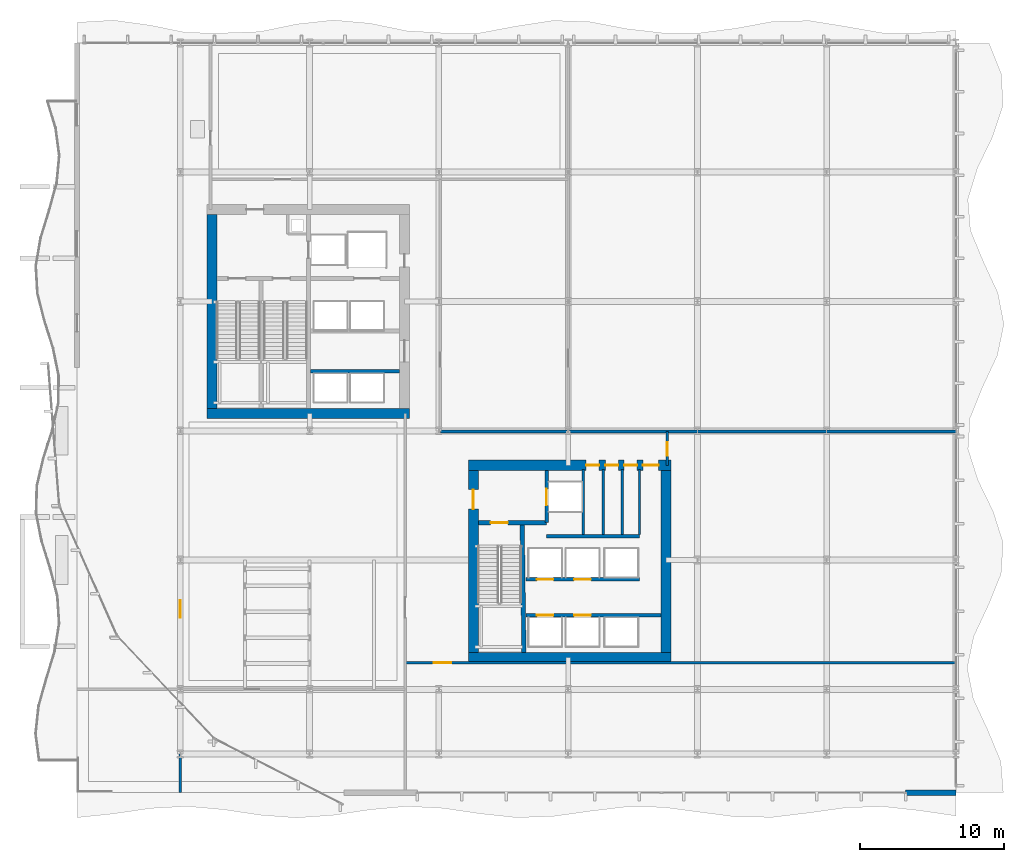
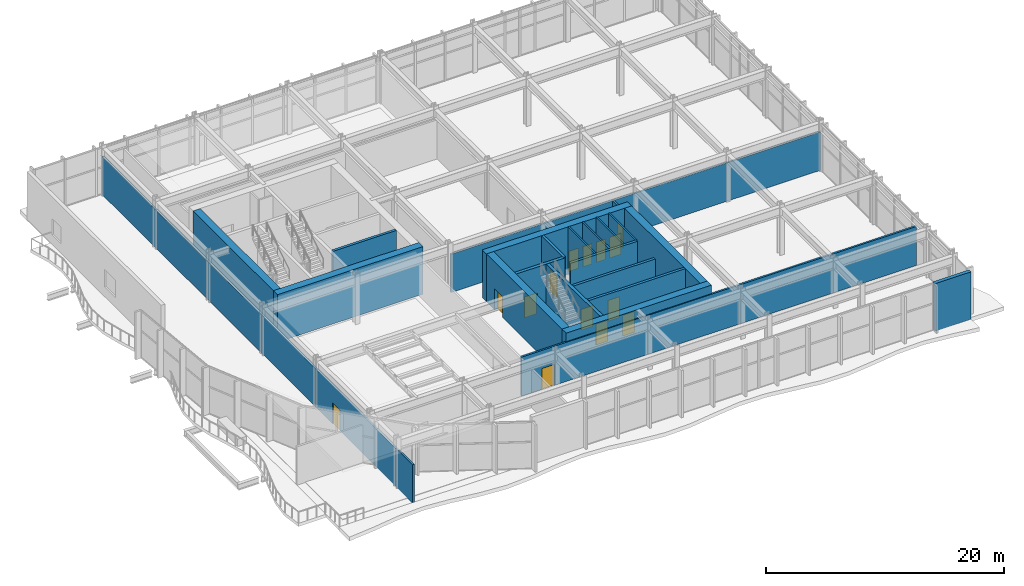
# One storey, part 23 of 33: 22 walls, 14 doors, 14 openings.
"""IFC4 building model written with IfcOpenShell, lengths in metres."""

from ifc_helpers import new_model, si_unit, direction, frame, frame_2d, origin, place, context, subcontext, project, spatial, rectangle, extrude, material, layer, layer_set, type_object, element, fill, save


model = new_model("IFC4")

# Units and contexts
model_context = context("Model", 3, precision=1e-05, world=origin(), true_north=direction((0.0, 1.0)))
body_context = subcontext(model_context, "Body", "Model", "MODEL_VIEW")
ifc_project = project(units=[si_unit("LENGTHUNIT", "METRE"), si_unit("AREAUNIT", "SQUARE_METRE"), si_unit("VOLUMEUNIT", "CUBIC_METRE"), si_unit("PLANEANGLEUNIT", "RADIAN"), si_unit("MASSUNIT", "GRAM", prefix="KILO")], contexts=[model_context])

# Site, building, storey
site_placement = place(None, origin())
site = spatial("IfcSite", under=ifc_project, at=site_placement, CompositionType="ELEMENT")
building_placement = place(site_placement, origin())
building = spatial("IfcBuilding", under=site, at=building_placement, Name="Solvaryn Broadcast Tower", CompositionType="ELEMENT")
storey_placement = place(building_placement, frame((0.0, 0.0, 5.800048828125)))
storey = spatial("IfcBuildingStorey", under=building, at=storey_placement, Name="L01", CompositionType="ELEMENT", Elevation=5.800048828125)

# Walls
ifc_material_1 = material(Name="Concrete f'c 70 MPa", Category="concrete")
ifc_layer_1 = layer(ifc_material_1, 0.699951171875)
ifc_layer_set_1 = layer_set([ifc_layer_1], Name="CW-SHEAR-700")
wall_type_1 = type_object("IfcWallType", Name="CW-SHEAR-700", PredefinedType="SHEAR", material=ifc_layer_set_1)
wall_1_placement = place(storey_placement, frame((10.85009765625, 28.199951171875, 0.0), z_axis=(0.0, 0.0, 1.0), x_axis=(1.0, 0.0, 0.0)))
element("IfcWall", 1, at=wall_1_placement, inside=storey, type_object=wall_type_1, Name="L01 West Core South Shear Wall", PredefinedType="SHEAR", context=body_context, shape_type="SweptSolid", body=[
    extrude(rectangle(XDim=14.099853515625, YDim=0.699951171875, at=frame_2d((7.0498046875, 0.0))), origin(), (0.0, 0.0, 1.0), 4.8798828125),
])
wall_2_placement = place(storey_placement, frame((11.199951171875, 42.050048828125, 0.0), z_axis=(0.0, 0.0, 1.0), x_axis=(0.0, -1.0, 0.0)))
element("IfcWall", 2, at=wall_2_placement, inside=storey, type_object=wall_type_1, Name="L01 West Core West Shear Wall", PredefinedType="SHEAR", context=body_context, shape_type="SweptSolid", body=[
    extrude(rectangle(XDim=13.5, YDim=0.699951171875, at=frame_2d((6.75, 0.0))), origin(), (0.0, 0.0, 1.0), 4.8798828125),
])
wall_3_placement = place(storey_placement, frame((29.050048828125, 11.199951171875, 0.0), z_axis=(0.0, 0.0, 1.0), x_axis=(1.0, 0.0, 0.0)))
element("IfcWall", 3, at=wall_3_placement, inside=storey, type_object=wall_type_1, Name="L01 East Core South Shear Wall", PredefinedType="SHEAR", context=body_context, shape_type="SweptSolid", body=[
    extrude(rectangle(XDim=14.099853515625, YDim=0.699951171875, at=frame_2d((7.0498046875, 0.0))), origin(), (0.0, 0.0, 1.0), 4.8798828125),
])

# Wall, openings, doors
wall_4_placement = place(storey_placement, frame((43.14990234375, 24.60009765625, 0.0), z_axis=(0.0, 0.0, 1.0), x_axis=(-1.0, 0.0, 0.0)))
wall_4 = element("IfcWall", 4, at=wall_4_placement, inside=storey, type_object=wall_type_1, Name="L01 East Core North Shear Wall", PredefinedType="SHEAR", context=body_context, shape_type="SweptSolid", body=[
    extrude(rectangle(XDim=14.099853515625, YDim=0.699951171875, at=frame_2d((7.0498046875, 0.0))), origin(), (0.0, 0.0, 1.0), 4.8798828125),
])
opening_1_placement = place(wall_4_placement, frame((0.85009765625, 0.0, 0.0)))
opening_1 = element("IfcOpeningElement", 5, at=opening_1_placement, cuts=wall_4, Name="Opening FD90C", PredefinedType="OPENING", context=body_context, shape_type="SweptSolid", body=[
    extrude(rectangle(XDim=1.10009765625, YDim=2.14990234375, at=frame_2d((0.550048828125, 1.074951171875))), frame((0.0, 0.360107421875, 0.0), z_axis=(0.0, -1.0, 0.0), x_axis=(1.0, 0.0, 0.0)), (0.0, 0.0, 1.0), 0.719970703125),
])
opening_2_placement = place(wall_4_placement, frame((2.35009765625, 0.0, 0.0)))
opening_2 = element("IfcOpeningElement", 6, at=opening_2_placement, cuts=wall_4, Name="Opening FD60C", PredefinedType="OPENING", context=body_context, shape_type="SweptSolid", body=[
    extrude(rectangle(XDim=0.89990234375, YDim=2.10009765625, at=frame_2d((0.449951171875, 1.050048828125))), frame((0.0, 0.360107421875, 0.0), z_axis=(0.0, -1.0, 0.0), x_axis=(1.0, 0.0, 0.0)), (0.0, 0.0, 1.0), 0.719970703125),
])
opening_3_placement = place(wall_4_placement, frame((3.64990234375, 0.0, 0.0)))
opening_3 = element("IfcOpeningElement", 7, at=opening_3_placement, cuts=wall_4, Name="Opening FD60C", PredefinedType="OPENING", context=body_context, shape_type="SweptSolid", body=[
    extrude(rectangle(XDim=0.89990234375, YDim=2.10009765625, at=frame_2d((0.449951171875, 1.050048828125))), frame((0.0, 0.360107421875, 0.0), z_axis=(0.0, -1.0, 0.0), x_axis=(1.0, 0.0, 0.0)), (0.0, 0.0, 1.0), 0.719970703125),
])
opening_4_placement = place(wall_4_placement, frame((5.0, 0.0, 0.0)))
opening_4 = element("IfcOpeningElement", 8, at=opening_4_placement, cuts=wall_4, Name="Opening FD60C", PredefinedType="OPENING", context=body_context, shape_type="SweptSolid", body=[
    extrude(rectangle(XDim=0.89990234375, YDim=2.10009765625, at=frame_2d((0.449951171875, 1.050048828125))), frame((0.0, 0.360107421875, 0.0), z_axis=(0.0, -1.0, 0.0), x_axis=(1.0, 0.0, 0.0)), (0.0, 0.0, 1.0), 0.719970703125),
])
ifc_material_2 = material(Name="Flush Acoustic Steel and Timber Door Assembly", Category="steel")
door_type_1 = type_object("IfcDoorType", Name="FD60-SERV-900X2100", OperationType="NOTDEFINED", PredefinedType="DOOR", material=ifc_material_2)
door_1_placement = place(opening_2_placement, origin())
door_1 = element("IfcDoor", 9, at=door_1_placement, inside=storey, type_object=door_type_1, Name="L01 Core Wellness Room Door", OperationType="SINGLE_SWING_RIGHT", OverallHeight=2.10009765625, OverallWidth=0.89990234375, PredefinedType="DOOR", context=body_context, shape_type="SweptSolid", body=[
    extrude(rectangle(XDim=0.89990234375, YDim=2.10009765625, at=frame_2d((0.449951171875, 1.050048828125))), frame((0.0, 0.02490234375, 0.0), z_axis=(0.0, -1.0, 0.0), x_axis=(1.0, 0.0, 0.0)), (0.0, 0.0, 1.0), 0.050048828125),
])
fill(opening_2, door_1)
door_2_placement = place(opening_3_placement, origin())
door_2 = element("IfcDoor", 10, at=door_2_placement, inside=storey, type_object=door_type_1, Name="L01 Staff Restroom Door", OperationType="SINGLE_SWING_LEFT", OverallHeight=2.10009765625, OverallWidth=0.89990234375, PredefinedType="DOOR", context=body_context, shape_type="SweptSolid", body=[
    extrude(rectangle(XDim=0.89990234375, YDim=2.10009765625, at=frame_2d((0.449951171875, 1.050048828125))), frame((0.0, 0.02490234375, 0.0), z_axis=(0.0, -1.0, 0.0), x_axis=(1.0, 0.0, 0.0)), (0.0, 0.0, 1.0), 0.050048828125),
])
fill(opening_3, door_2)
door_3_placement = place(opening_4_placement, origin())
door_3 = element("IfcDoor", 11, at=door_3_placement, inside=storey, type_object=door_type_1, Name="L01 Accessible WC Door", OperationType="SINGLE_SWING_RIGHT", OverallHeight=2.10009765625, OverallWidth=0.89990234375, PredefinedType="DOOR", context=body_context, shape_type="SweptSolid", body=[
    extrude(rectangle(XDim=0.89990234375, YDim=2.10009765625, at=frame_2d((0.449951171875, 1.050048828125))), frame((0.0, 0.02490234375, 0.0), z_axis=(0.0, -1.0, 0.0), x_axis=(1.0, 0.0, 0.0)), (0.0, 0.0, 1.0), 0.050048828125),
])
fill(opening_4, door_3)
ifc_material_3 = material(Name="Flush Acoustic Steel and Timber Door Assembly", Category="steel")
door_type_2 = type_object("IfcDoorType", Name="FD90-PLANT-1100X2150", OperationType="NOTDEFINED", PredefinedType="DOOR", material=ifc_material_3)
door_4_placement = place(opening_1_placement, origin())
door_4 = element("IfcDoor", 12, at=door_4_placement, inside=storey, type_object=door_type_2, Name="L01 East Core Lobby Corridor Door", OperationType="SINGLE_SWING_LEFT", OverallHeight=2.14990234375, OverallWidth=1.10009765625, PredefinedType="DOOR", context=body_context, shape_type="SweptSolid", body=[
    extrude(rectangle(XDim=1.10009765625, YDim=2.14990234375, at=frame_2d((0.550048828125, 1.074951171875))), frame((0.0, 0.02490234375, 0.0), z_axis=(0.0, -1.0, 0.0), x_axis=(1.0, 0.0, 0.0)), (0.0, 0.0, 1.0), 0.050048828125),
])
fill(opening_1, door_4)

# Wall, opening, door
wall_5_placement = place(storey_placement, frame((29.39990234375, 24.25, 0.0), z_axis=(0.0, 0.0, 1.0), x_axis=(0.0, -1.0, 0.0)))
wall_5 = element("IfcWall", 13, at=wall_5_placement, inside=storey, type_object=wall_type_1, Name="L01 East Core West Shear Wall", PredefinedType="SHEAR", context=body_context, shape_type="SweptSolid", body=[
    extrude(rectangle(XDim=12.699951171875, YDim=0.699951171875, at=frame_2d((6.35009765625, 0.0))), origin(), (0.0, 0.0, 1.0), 4.8798828125),
])
opening_5_placement = place(wall_5_placement, frame((1.35009765625, 0.0, 0.0)))
opening_5 = element("IfcOpeningElement", 14, at=opening_5_placement, cuts=wall_5, Name="Opening FD90B", PredefinedType="OPENING", context=body_context, shape_type="SweptSolid", body=[
    extrude(rectangle(XDim=1.35009765625, YDim=2.14990234375, at=frame_2d((0.675048828125, 1.074951171875))), frame((0.0, 0.360107421875, 0.0), z_axis=(0.0, -1.0, 0.0), x_axis=(1.0, 0.0, 0.0)), (0.0, 0.0, 1.0), 0.719970703125),
])
ifc_material_4 = material(Name="Flush Acoustic Steel and Timber Door Assembly", Category="steel")
door_type_3 = type_object("IfcDoorType", Name="FD90-LOBBY-1350X2150", OperationType="NOTDEFINED", PredefinedType="DOOR", material=ifc_material_4)
door_5_placement = place(opening_5_placement, origin())
door_5 = element("IfcDoor", 15, at=door_5_placement, inside=storey, type_object=door_type_3, Name="L01 East FSAE Lobby Door", OperationType="SINGLE_SWING_RIGHT", OverallHeight=2.14990234375, OverallWidth=1.35009765625, PredefinedType="DOOR", context=body_context, shape_type="SweptSolid", body=[
    extrude(rectangle(XDim=1.35009765625, YDim=2.14990234375, at=frame_2d((0.675048828125, 1.074951171875))), frame((0.0, 0.02490234375, 0.0), z_axis=(0.0, -1.0, 0.0), x_axis=(1.0, 0.0, 0.0)), (0.0, 0.0, 1.0), 0.050048828125),
])
fill(opening_5, door_5)

# Walls
wall_6_placement = place(storey_placement, frame((42.800048828125, 11.550048828125, 0.0), z_axis=(0.0, 0.0, 1.0), x_axis=(0.0, 1.0, 0.0)))
element("IfcWall", 16, at=wall_6_placement, inside=storey, type_object=wall_type_1, Name="L01 East Core East Shear Wall", PredefinedType="SHEAR", context=body_context, shape_type="SweptSolid", body=[
    extrude(rectangle(XDim=12.699951171875, YDim=0.699951171875, at=frame_2d((6.35009765625, 0.0))), origin(), (0.0, 0.0, 1.0), 4.8798828125),
])
ifc_material_5 = material(Name="Concrete f'c 50 MPa", Category="concrete")
ifc_layer_2 = layer(ifc_material_5, 0.35009765625)
ifc_layer_set_2 = layer_set([ifc_layer_2], Name="EW-STUDIO-350")
wall_type_2 = type_object("IfcWallType", Name="EW-STUDIO-350", PredefinedType="SOLIDWALL", material=ifc_layer_set_2)
wall_7_placement = place(storey_placement, frame((63.0, 1.800048828125, 0.0), z_axis=(0.0, 0.0, 1.0), x_axis=(-1.0, 0.0, 0.0)))
element("IfcWall", 17, at=wall_7_placement, inside=storey, type_object=wall_type_2, Name="L01 Podium SE Corner Pier Wall", PredefinedType="SOLIDWALL", context=body_context, shape_type="SweptSolid", body=[
    extrude(rectangle(XDim=3.5, YDim=0.35009765625, at=frame_2d((1.75, 0.0))), origin(), (0.0, 0.0, 1.0), 4.8798828125),
])
ifc_material_6 = material(Name="Metal-Stud Service Core Partition")
ifc_layer_3 = layer(ifc_material_6, 0.14990234375)
ifc_layer_set_3 = layer_set([ifc_layer_3], Name="IW-PART-150")
wall_type_3 = type_object("IfcWallType", Name="IW-PART-150", PredefinedType="PARTITIONING", material=ifc_layer_set_3)
for number, where, z_axis, x_axis, name in (
    (18, (37.050048828125, 19.780029296875, 0.0), (0.0, 0.0, 1.0), (0.0, 1.0, 0.0), "L01 Interior Partition IW-L01-CE-FL2E"),
    (19, (38.43994140625, 19.780029296875, 0.0), (0.0, 0.0, 1.0), (0.0, 1.0, 0.0), "L01 Interior Partition IW-L01-CE-V1"),
    (20, (39.77001953125, 19.780029296875, 0.0), (0.0, 0.0, 1.0), (0.0, 1.0, 0.0), "L01 Interior Partition IW-L01-CE-V2"),
    (21, (40.97998046875, 19.780029296875, 0.0), (0.0, 0.0, 1.0), (0.0, 1.0, 0.0), "L01 Interior Partition IW-L01-CE-V3"),
):
    element("IfcWall", number, at=place(storey_placement, frame(where, z_axis=z_axis, x_axis=x_axis)), inside=storey, type_object=wall_type_3, Name=name, PredefinedType="PARTITIONING", context=body_context, shape_type="SweptSolid", body=[
        extrude(rectangle(XDim=4.52001953125, YDim=0.14990234375, at=frame_2d((2.260009765625, 0.0))), origin(), (0.0, 0.0, 1.0), 4.8798828125),
    ])

# Wall, opening, door
ifc_material_7 = material(Name="Acoustic Metal-Stud Gypsum Partition")
ifc_layer_4 = layer(ifc_material_7, 0.179931640625)
ifc_layer_set_4 = layer_set([ifc_layer_4], Name="IW-PART-180")
wall_type_4 = type_object("IfcWallType", Name="IW-PART-180", PredefinedType="PARTITIONING", material=ifc_layer_set_4)
wall_8_placement = place(storey_placement, frame((24.64990234375, 10.85009765625, 0.0), z_axis=(0.0, 0.0, 1.0), x_axis=(1.0, 0.0, 0.0)))
wall_8 = element("IfcWall", 22, at=wall_8_placement, inside=storey, type_object=wall_type_4, Name="L01 Interior Partition IW-L01-PW2", PredefinedType="PARTITIONING", context=body_context, shape_type="SweptSolid", body=[
    extrude(rectangle(XDim=38.35009765625, YDim=0.179931640625, at=frame_2d((19.175048828125, 0.0))), origin(), (0.0, 0.0, 1.0), 4.0048828125),
])
opening_6_placement = place(wall_8_placement, frame((2.0, 0.0, 0.0)))
opening_6 = element("IfcOpeningElement", 23, at=opening_6_placement, cuts=wall_8, Name="Opening ID04", PredefinedType="OPENING", context=body_context, shape_type="SweptSolid", body=[
    extrude(rectangle(XDim=1.199951171875, YDim=2.14990234375, at=frame_2d((0.60009765625, 1.074951171875))), frame((0.0, 0.099853515625, 0.0), z_axis=(0.0, -1.0, 0.0), x_axis=(1.0, 0.0, 0.0)), (0.0, 0.0, 1.0), 0.199951171875),
])
ifc_material_8 = material(Name="Flush Acoustic Steel and Timber Door Assembly", Category="steel")
door_type_4 = type_object("IfcDoorType", Name="ID-04-1200X2150", OperationType="NOTDEFINED", PredefinedType="DOOR", material=ifc_material_8)
door_6_placement = place(opening_6_placement, origin())
door_6 = element("IfcDoor", 24, at=door_6_placement, inside=storey, type_object=door_type_4, Name="L01 Door DR-L01-PD2", OperationType="SINGLE_SWING_RIGHT", OverallHeight=2.14990234375, OverallWidth=1.199951171875, PredefinedType="DOOR", context=body_context, shape_type="SweptSolid", body=[
    extrude(rectangle(XDim=1.199951171875, YDim=2.14990234375, at=frame_2d((0.60009765625, 1.074951171875))), frame((0.0, 0.02490234375, 0.0), z_axis=(0.0, -1.0, 0.0), x_axis=(1.0, 0.0, 0.0)), (0.0, 0.0, 1.0), 0.050048828125),
])
fill(opening_6, door_6)

wall_9_placement = place(storey_placement, frame((42.89990234375, 24.60009765625, 0.0), z_axis=(0.0, 0.0, 1.0), x_axis=(0.0, 1.0, 0.0)))
wall_9 = element("IfcWall", 25, at=wall_9_placement, inside=storey, type_object=wall_type_4, Name="L01 Interior Partition IW-L01-PW4", PredefinedType="PARTITIONING", context=body_context, shape_type="SweptSolid", body=[
    extrude(rectangle(XDim=2.349853515625, YDim=0.179931640625, at=frame_2d((1.1748046875, 0.0))), origin(), (0.0, 0.0, 1.0), 3.932861328125),
])
opening_7_placement = place(wall_9_placement, frame((0.64990234375, 0.0, 0.0)))
opening_7 = element("IfcOpeningElement", 26, at=opening_7_placement, cuts=wall_9, Name="Opening ID01", PredefinedType="OPENING", context=body_context, shape_type="SweptSolid", body=[
    extrude(rectangle(XDim=0.949951171875, YDim=2.10009765625, at=frame_2d((0.47509765625, 1.050048828125))), frame((0.0, 0.099853515625, 0.0), z_axis=(0.0, -1.0, 0.0), x_axis=(1.0, 0.0, 0.0)), (0.0, 0.0, 1.0), 0.199951171875),
])
ifc_material_9 = material(Name="Flush Acoustic Steel and Timber Door Assembly", Category="steel")
door_type_5 = type_object("IfcDoorType", Name="ID-01-950X2100", OperationType="NOTDEFINED", PredefinedType="DOOR", material=ifc_material_9)
door_7_placement = place(opening_7_placement, origin())
door_7 = element("IfcDoor", 27, at=door_7_placement, inside=storey, type_object=door_type_5, Name="L01 Door DR-L01-PD3", OperationType="SINGLE_SWING_LEFT", OverallHeight=2.10009765625, OverallWidth=0.949951171875, PredefinedType="DOOR", context=body_context, shape_type="SweptSolid", body=[
    extrude(rectangle(XDim=0.949951171875, YDim=2.10009765625, at=frame_2d((0.47509765625, 1.050048828125))), frame((0.0, 0.02490234375, 0.0), z_axis=(0.0, -1.0, 0.0), x_axis=(1.0, 0.0, 0.0)), (0.0, 0.0, 1.0), 0.050048828125),
])
fill(opening_7, door_7)

# Wall
wall_10_placement = place(storey_placement, frame((27.10009765625, 26.949951171875, 0.0), z_axis=(0.0, 0.0, 1.0), x_axis=(1.0, 0.0, 0.0)))
element("IfcWall", 28, at=wall_10_placement, inside=storey, type_object=wall_type_4, Name="L01 Interior Partition IW-L01-PW5", PredefinedType="PARTITIONING", context=body_context, shape_type="SweptSolid", body=[
    extrude(rectangle(XDim=35.89990234375, YDim=0.179931640625, at=frame_2d((17.949951171875, 0.0))), origin(), (0.0, 0.0, 1.0), 3.932861328125),
])

# Wall, opening, door
wall_11_placement = place(storey_placement, frame((9.0, 1.800048828125, 0.0), z_axis=(0.0, 0.0, 1.0), x_axis=(0.0, 1.0, 0.0)))
wall_11 = element("IfcWall", 29, at=wall_11_placement, inside=storey, type_object=wall_type_4, Name="L01 Interior Partition IW-L01-PWW", PredefinedType="PARTITIONING", context=body_context, shape_type="SweptSolid", body=[
    extrude(rectangle(XDim=52.199951171875, YDim=0.179931640625, at=frame_2d((26.10009765625, 0.0))), origin(), (0.0, 0.0, 1.0), 3.911865234375),
])
opening_8_placement = place(wall_11_placement, frame((12.199951171875, 0.0, 0.0)))
opening_8 = element("IfcOpeningElement", 30, at=opening_8_placement, cuts=wall_11, Name="Opening ID04", PredefinedType="OPENING", context=body_context, shape_type="SweptSolid", body=[
    extrude(rectangle(XDim=1.199951171875, YDim=2.14990234375, at=frame_2d((0.60009765625, 1.074951171875))), frame((0.0, 0.099853515625, 0.0), z_axis=(0.0, -1.0, 0.0), x_axis=(1.0, 0.0, 0.0)), (0.0, 0.0, 1.0), 0.199951171875),
])
door_8_placement = place(opening_8_placement, origin())
door_8 = element("IfcDoor", 31, at=door_8_placement, inside=storey, type_object=door_type_4, Name="L01 Door DR-L01-PDW", OperationType="SINGLE_SWING_LEFT", OverallHeight=2.14990234375, OverallWidth=1.199951171875, PredefinedType="DOOR", context=body_context, shape_type="SweptSolid", body=[
    extrude(rectangle(XDim=1.199951171875, YDim=2.14990234375, at=frame_2d((0.60009765625, 1.074951171875))), frame((0.0, 0.02490234375, 0.0), z_axis=(0.0, -1.0, 0.0), x_axis=(1.0, 0.0, 0.0)), (0.0, 0.0, 1.0), 0.050048828125),
])
fill(opening_8, door_8)

# Wall
ifc_material_10 = material(Name="Concrete f'c 60 MPa", Category="concrete")
ifc_layer_5 = layer(ifc_material_10, 0.25)
ifc_layer_set_5 = layer_set([ifc_layer_5], Name="SW-SHAFT-250")
wall_type_5 = type_object("IfcWallType", Name="SW-SHAFT-250", PredefinedType="PARTITIONING", material=ifc_layer_set_5)
wall_12_placement = place(storey_placement, frame((18.070068359375, 31.14990234375, 0.0), z_axis=(0.0, 0.0, 1.0), x_axis=(1.0, 0.0, 0.0)))
element("IfcWall", 32, at=wall_12_placement, inside=storey, type_object=wall_type_5, Name="L01 High-Rise Lift Bank South Wall", PredefinedType="PARTITIONING", context=body_context, shape_type="SweptSolid", body=[
    extrude(rectangle(XDim=6.179931640625, YDim=0.25, at=frame_2d((3.08984375, 0.0))), origin(), (0.0, 0.0, 1.0), 4.8798828125),
])

# Wall, opening, door
wall_13_placement = place(storey_placement, frame((34.5, 20.60009765625, 0.0), z_axis=(0.0, 0.0, 1.0), x_axis=(0.0, 1.0, 0.0)))
wall_13 = element("IfcWall", 33, at=wall_13_placement, inside=storey, type_object=wall_type_5, Name="L01 East FSAE Lobby East Wall", PredefinedType="PARTITIONING", context=body_context, shape_type="SweptSolid", body=[
    extrude(rectangle(XDim=3.64990234375, YDim=0.25, at=frame_2d((1.824951171875, 0.0))), origin(), (0.0, 0.0, 1.0), 4.8798828125),
])
opening_9_placement = place(wall_13_placement, frame((1.199951171875, 0.0, 0.0)))
opening_9 = element("IfcOpeningElement", 34, at=opening_9_placement, cuts=wall_13, Name="Opening LD01", PredefinedType="OPENING", context=body_context, shape_type="SweptSolid", body=[
    extrude(rectangle(XDim=1.14990234375, YDim=2.14990234375, at=frame_2d((0.574951171875, 1.074951171875))), frame((0.0, 0.135009765625, 0.0), z_axis=(0.0, -1.0, 0.0), x_axis=(1.0, 0.0, 0.0)), (0.0, 0.0, 1.0), 0.27001953125),
])
ifc_material_11 = material(Name="Flush Acoustic Steel and Timber Door Assembly", Category="steel")
door_type_6 = type_object("IfcDoorType", Name="LD-LIFT-1150X2150", OperationType="NOTDEFINED", PredefinedType="DOOR", material=ifc_material_11)
door_9_placement = place(opening_9_placement, origin())
door_9 = element("IfcDoor", 35, at=door_9_placement, inside=storey, type_object=door_type_6, Name="L01 FL2 Lift Landing Door", OperationType="DOUBLE_DOOR_SLIDING", OverallHeight=2.14990234375, OverallWidth=1.14990234375, PredefinedType="DOOR", context=body_context, shape_type="SweptSolid", body=[
    extrude(rectangle(XDim=1.14990234375, YDim=2.14990234375, at=frame_2d((0.574951171875, 1.074951171875))), frame((0.0, 0.02490234375, 0.0), z_axis=(0.0, -1.0, 0.0), x_axis=(1.0, 0.0, 0.0)), (0.0, 0.0, 1.0), 0.050048828125),
])
fill(opening_9, door_9)

# Wall
wall_14_placement = place(storey_placement, frame((34.5, 19.64990234375, 0.0), z_axis=(0.0, 0.0, 1.0), x_axis=(1.0, 0.0, 0.0)))
element("IfcWall", 36, at=wall_14_placement, inside=storey, type_object=wall_type_5, Name="L01 East Core Restroom South Wall", PredefinedType="PARTITIONING", context=body_context, shape_type="SweptSolid", body=[
    extrude(rectangle(XDim=6.47998046875, YDim=0.25, at=frame_2d((3.239990234375, 0.0))), origin(), (0.0, 0.0, 1.0), 4.8798828125),
])

# Wall, openings, doors
wall_15_placement = place(storey_placement, frame((33.070068359375, 14.14990234375, 0.0), z_axis=(0.0, 0.0, 1.0), x_axis=(1.0, 0.0, 0.0)))
wall_15 = element("IfcWall", 37, at=wall_15_placement, inside=storey, type_object=wall_type_5, Name="L01 East Lift Bank South Wall", PredefinedType="PARTITIONING", context=body_context, shape_type="SweptSolid", body=[
    extrude(rectangle(XDim=9.3798828125, YDim=0.25, at=frame_2d((4.68994140625, 0.0))), origin(), (0.0, 0.0, 1.0), 4.8798828125),
])
opening_10_placement = place(wall_15_placement, frame((0.7548828125, 0.0, 0.0)))
opening_10 = element("IfcOpeningElement", 38, at=opening_10_placement, cuts=wall_15, Name="Opening LD01", PredefinedType="OPENING", context=body_context, shape_type="SweptSolid", body=[
    extrude(rectangle(XDim=1.14990234375, YDim=2.14990234375, at=frame_2d((0.574951171875, 1.074951171875))), frame((0.0, 0.135009765625, 0.0), z_axis=(0.0, -1.0, 0.0), x_axis=(1.0, 0.0, 0.0)), (0.0, 0.0, 1.0), 0.27001953125),
])
opening_11_placement = place(wall_15_placement, frame((3.35498046875, 0.0, 0.0)))
opening_11 = element("IfcOpeningElement", 39, at=opening_11_placement, cuts=wall_15, Name="Opening LD01", PredefinedType="OPENING", context=body_context, shape_type="SweptSolid", body=[
    extrude(rectangle(XDim=1.14990234375, YDim=2.14990234375, at=frame_2d((0.574951171875, 1.074951171875))), frame((0.0, 0.135009765625, 0.0), z_axis=(0.0, -1.0, 0.0), x_axis=(1.0, 0.0, 0.0)), (0.0, 0.0, 1.0), 0.27001953125),
])
door_10_placement = place(opening_10_placement, origin())
door_10 = element("IfcDoor", 40, at=door_10_placement, inside=storey, type_object=door_type_6, Name="L01 PL1 Lift Landing Door", OperationType="DOUBLE_DOOR_SLIDING", OverallHeight=2.14990234375, OverallWidth=1.14990234375, PredefinedType="DOOR", context=body_context, shape_type="SweptSolid", body=[
    extrude(rectangle(XDim=1.14990234375, YDim=2.14990234375, at=frame_2d((0.574951171875, 1.074951171875))), frame((0.0, 0.02490234375, 0.0), z_axis=(0.0, -1.0, 0.0), x_axis=(1.0, 0.0, 0.0)), (0.0, 0.0, 1.0), 0.050048828125),
])
fill(opening_10, door_10)
door_11_placement = place(opening_11_placement, origin())
door_11 = element("IfcDoor", 41, at=door_11_placement, inside=storey, type_object=door_type_6, Name="L01 PL2 Lift Landing Door", OperationType="DOUBLE_DOOR_SLIDING", OverallHeight=2.14990234375, OverallWidth=1.14990234375, PredefinedType="DOOR", context=body_context, shape_type="SweptSolid", body=[
    extrude(rectangle(XDim=1.14990234375, YDim=2.14990234375, at=frame_2d((0.574951171875, 1.074951171875))), frame((0.0, 0.02490234375, 0.0), z_axis=(0.0, -1.0, 0.0), x_axis=(1.0, 0.0, 0.0)), (0.0, 0.0, 1.0), 0.050048828125),
])
fill(opening_11, door_11)

wall_16_placement = place(storey_placement, frame((40.97998046875, 16.64990234375, 0.0), z_axis=(0.0, 0.0, 1.0), x_axis=(-1.0, 0.0, 0.0)))
wall_16 = element("IfcWall", 42, at=wall_16_placement, inside=storey, type_object=wall_type_5, Name="L01 East Lift Bank North Wall", PredefinedType="PARTITIONING", context=body_context, shape_type="SweptSolid", body=[
    extrude(rectangle(XDim=7.909912109375, YDim=0.25, at=frame_2d((3.955078125, 0.0))), origin(), (0.0, 0.0, 1.0), 4.8798828125),
])
opening_12_placement = place(wall_16_placement, frame((6.0048828125, 0.0, 0.0)))
opening_12 = element("IfcOpeningElement", 43, at=opening_12_placement, cuts=wall_16, Name="Opening LD01", PredefinedType="OPENING", context=body_context, shape_type="SweptSolid", body=[
    extrude(rectangle(XDim=1.14990234375, YDim=2.14990234375, at=frame_2d((0.574951171875, 1.074951171875))), frame((0.0, 0.135009765625, 0.0), z_axis=(0.0, -1.0, 0.0), x_axis=(1.0, 0.0, 0.0)), (0.0, 0.0, 1.0), 0.27001953125),
])
opening_13_placement = place(wall_16_placement, frame((3.405029296875, 0.0, 0.0)))
opening_13 = element("IfcOpeningElement", 44, at=opening_13_placement, cuts=wall_16, Name="Opening LD01", PredefinedType="OPENING", context=body_context, shape_type="SweptSolid", body=[
    extrude(rectangle(XDim=1.14990234375, YDim=2.14990234375, at=frame_2d((0.574951171875, 1.074951171875))), frame((0.0, 0.135009765625, 0.0), z_axis=(0.0, -1.0, 0.0), x_axis=(1.0, 0.0, 0.0)), (0.0, 0.0, 1.0), 0.27001953125),
])
door_12_placement = place(opening_12_placement, origin())
door_12 = element("IfcDoor", 45, at=door_12_placement, inside=storey, type_object=door_type_6, Name="L01 PL3 Lift Landing Door", OperationType="DOUBLE_DOOR_SLIDING", OverallHeight=2.14990234375, OverallWidth=1.14990234375, PredefinedType="DOOR", context=body_context, shape_type="SweptSolid", body=[
    extrude(rectangle(XDim=1.14990234375, YDim=2.14990234375, at=frame_2d((0.574951171875, 1.074951171875))), frame((0.0, 0.02490234375, 0.0), z_axis=(0.0, -1.0, 0.0), x_axis=(1.0, 0.0, 0.0)), (0.0, 0.0, 1.0), 0.050048828125),
])
fill(opening_12, door_12)
door_13_placement = place(opening_13_placement, origin())
door_13 = element("IfcDoor", 46, at=door_13_placement, inside=storey, type_object=door_type_6, Name="L01 PL4 Lift Landing Door", OperationType="DOUBLE_DOOR_SLIDING", OverallHeight=2.14990234375, OverallWidth=1.14990234375, PredefinedType="DOOR", context=body_context, shape_type="SweptSolid", body=[
    extrude(rectangle(XDim=1.14990234375, YDim=2.14990234375, at=frame_2d((0.574951171875, 1.074951171875))), frame((0.0, 0.02490234375, 0.0), z_axis=(0.0, -1.0, 0.0), x_axis=(1.0, 0.0, 0.0)), (0.0, 0.0, 1.0), 0.050048828125),
])
fill(opening_13, door_13)

# Wall
ifc_material_12 = material(Name="Concrete f'c 70 MPa", Category="concrete")
ifc_layer_6 = layer(ifc_material_12, 0.300048828125)
ifc_layer_set_6 = layer_set([ifc_layer_6], Name="SW-SHAFT-300")
wall_type_6 = type_object("IfcWallType", Name="SW-SHAFT-300", PredefinedType="SHEAR", material=ifc_layer_set_6)
wall_17_placement = place(storey_placement, frame((32.919921875, 11.550048828125, 0.0), z_axis=(0.0, 0.0, 1.0), x_axis=(-0.01331804616, 0.99991131089, 0.0)))
element("IfcWall", 47, at=wall_17_placement, inside=storey, type_object=wall_type_6, Name="L01 Stair 3 East Shear Wall", PredefinedType="SHEAR", context=body_context, shape_type="SweptSolid", body=[
    extrude(rectangle(XDim=9.000732421875, YDim=0.300048828125, at=frame_2d((4.50048828125, 0.0))), origin(), (0.0, 0.0, 1.0), 4.8798828125),
])

# Wall, opening, door
wall_18_placement = place(storey_placement, frame((34.5, 20.60009765625, 0.0), z_axis=(0.0, 0.0, 1.0), x_axis=(-1.0, 0.0, 0.0)))
wall_18 = element("IfcWall", 48, at=wall_18_placement, inside=storey, type_object=wall_type_6, Name="L01 East FSAE Lobby South Wall", PredefinedType="SHEAR", context=body_context, shape_type="SweptSolid", body=[
    extrude(rectangle(XDim=4.75, YDim=0.300048828125, at=frame_2d((2.375, 0.0))), origin(), (0.0, 0.0, 1.0), 4.8798828125),
])
opening_14_placement = place(wall_18_placement, frame((2.699951171875, 0.0, 0.0)))
opening_14 = element("IfcOpeningElement", 49, at=opening_14_placement, cuts=wall_18, Name="Opening FD90A", PredefinedType="OPENING", context=body_context, shape_type="SweptSolid", body=[
    extrude(rectangle(XDim=1.199951171875, YDim=2.14990234375, at=frame_2d((0.60009765625, 1.074951171875))), frame((0.0, 0.159912109375, 0.0), z_axis=(0.0, -1.0, 0.0), x_axis=(1.0, 0.0, 0.0)), (0.0, 0.0, 1.0), 0.320068359375),
])
ifc_material_13 = material(Name="Flush Acoustic Steel and Timber Door Assembly", Category="steel")
door_type_7 = type_object("IfcDoorType", Name="FD90-STAIR-1200X2150", OperationType="NOTDEFINED", PredefinedType="DOOR", material=ifc_material_13)
door_14_placement = place(opening_14_placement, origin())
door_14 = element("IfcDoor", 50, at=door_14_placement, inside=storey, type_object=door_type_7, Name="L01 Stair 3 Fire Door", OperationType="SINGLE_SWING_LEFT", OverallHeight=2.14990234375, OverallWidth=1.199951171875, PredefinedType="DOOR", context=body_context, shape_type="SweptSolid", body=[
    extrude(rectangle(XDim=1.199951171875, YDim=2.14990234375, at=frame_2d((0.60009765625, 1.074951171875))), frame((0.0, 0.02490234375, 0.0), z_axis=(0.0, -1.0, 0.0), x_axis=(1.0, 0.0, 0.0)), (0.0, 0.0, 1.0), 0.050048828125),
])
fill(opening_14, door_14)

save(model, "model.ifc")
